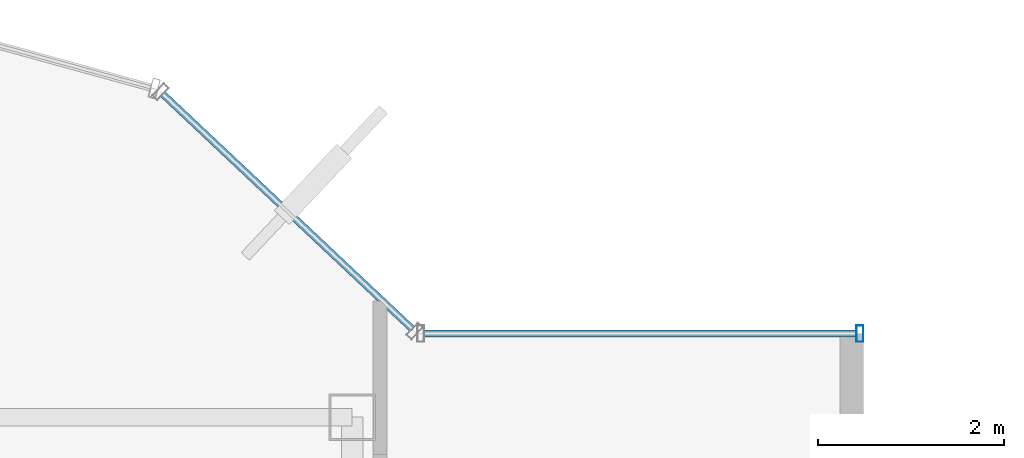
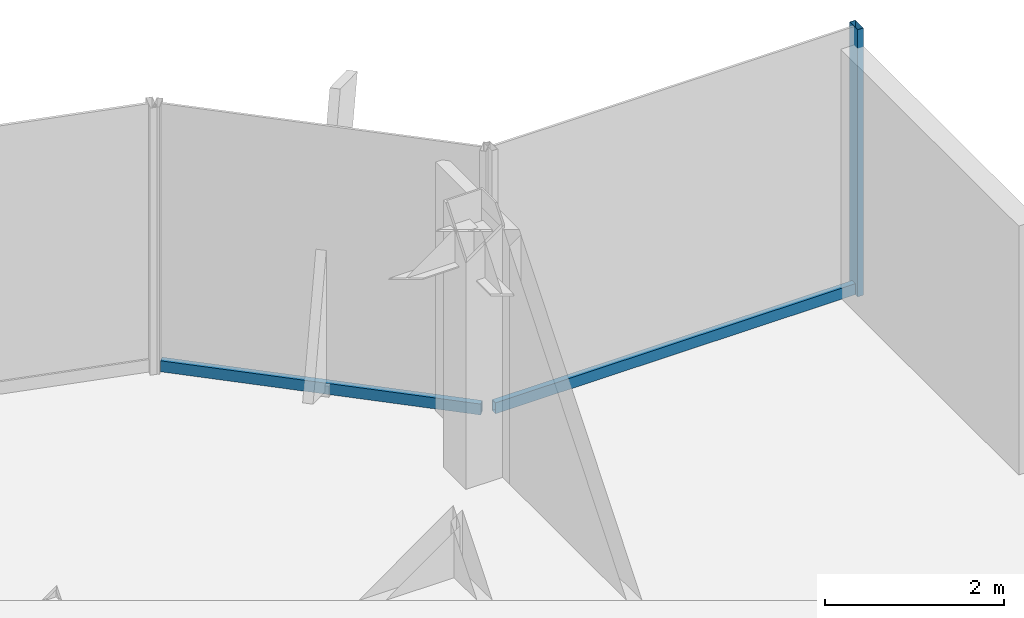
# One storey, part 15 of 22: 3 members, 2 elements without a shape of their own.
"""IFC4 building model written with IfcOpenShell, lengths in metres."""

from ifc_helpers import new_model, si_unit, derived_unit, direction, frame, origin, origin_2d, place, context, subcontext, project, spatial, hollow_rectangle, extrude, source, transform, mapped, material, material_profile, profile_set, type_object, element, aggregate, save


model = new_model("IFC4")

# Units and contexts
model_context = context("Model", 3, precision=1e-05, world=origin(), true_north=direction((0.0, 1.0)))
body_context = subcontext(model_context, "Body", "Model", "MODEL_VIEW")
ifc_project = project(units=[si_unit("LENGTHUNIT", "METRE"), si_unit("AREAUNIT", "SQUARE_METRE"), si_unit("VOLUMEUNIT", "CUBIC_METRE"), si_unit("PLANEANGLEUNIT", "RADIAN"), si_unit("MASSUNIT", "GRAM", prefix="KILO"), derived_unit("THERMALTRANSMITTANCEUNIT", [(si_unit("POWERUNIT", "WATT"), 1), (si_unit("LENGTHUNIT", "METRE"), -2), (si_unit("THERMODYNAMICTEMPERATUREUNIT", "KELVIN"), -1)])], contexts=[model_context])

# Site, building, storey
site_placement = place(None, origin())
site = spatial("IfcSite", under=ifc_project, at=site_placement, CompositionType="ELEMENT")
building_placement = place(site_placement, origin())
building = spatial("IfcBuilding", under=site, at=building_placement, Name="Skarnbrae Concourse Arena and Tower", CompositionType="ELEMENT")
storey_placement = place(building_placement, frame((0.0, 0.0, 262.449951171875)))
storey = spatial("IfcBuildingStorey", under=building, at=storey_placement, Name="L68", CompositionType="ELEMENT", Elevation=262.449951171875)

# Curtain wall, member
ifc_material = material(Name="Bronze anodised aluminium 6063-T6", Category="aluminium")
curtain_wall_type = type_object("IfcCurtainWallType", Name="CW-SYS-05-HIGHZONE", PredefinedType="USERDEFINED", material=ifc_material)
curtain_wall_1_placement = place(storey_placement, origin())
curtain_wall_1 = element("IfcCurtainWall", 1, at=curtain_wall_1_placement, inside=storey, type_object=curtain_wall_type, Name="L68 Unitised curtain wall CW-L68-E07", ObjectType="UNITISED CURTAIN WALL", PredefinedType="USERDEFINED")
ifc_material_profile_1 = material_profile(ifc_material, hollow_rectangle(XDim=0.074951171875, YDim=0.14990234375, WallThickness=0.00390625, at=origin_2d()), Name="ALU-TRAN-75X150")
ifc_profile_set_1 = profile_set([ifc_material_profile_1], Name="Bronze anodised aluminium 6063-T6")
member_type_1 = type_object("IfcMemberType", Name="CWT-CW-05", PredefinedType="USERDEFINED", material=ifc_profile_set_1)
shared_shape_1 = source(origin(), body_context, "Body", "SweptSolid", [
    extrude(hollow_rectangle(XDim=0.074951171875, YDim=0.14990234375, WallThickness=0.00390625, at=origin_2d()), origin(), (0.0, 0.0, 1.0), 4.650146484375),
])
member_1_placement = place(storey_placement, frame((38.925048828125, 35.300048828125, 0.074951171875), z_axis=(-1.0, 0.0, 0.0), x_axis=(0.0, -1.0, 0.0)))
member_1 = element("IfcMember", 2, at=member_1_placement, type_object=member_type_1, Name="CW-L68-E07 Transom 1", ObjectType="TRANSOM", PredefinedType="USERDEFINED", context=body_context, shape_type="MappedRepresentation", body=[
    mapped(shared_shape_1, transform((0.0, 0.0, 0.0))),
])

curtain_wall_2_placement = place(storey_placement, origin())
curtain_wall_2 = element("IfcCurtainWall", 3, at=curtain_wall_2_placement, inside=storey, type_object=curtain_wall_type, Name="L68 Unitised curtain wall CW-L68-E08", ObjectType="UNITISED CURTAIN WALL", PredefinedType="USERDEFINED")
shared_shape_2 = source(origin(), body_context, "Body", "SweptSolid", [
    extrude(hollow_rectangle(XDim=0.074951171875, YDim=0.14990234375, WallThickness=0.00390625, at=origin_2d()), origin(), (0.0, 0.0, 1.0), 3.68212890625),
])
member_2_placement = place(storey_placement, frame((34.1455078125, 35.351318359375, 0.074951171875), z_axis=(-0.728133808476, 0.685435012933, 0.0), x_axis=(-0.685435012933, -0.728133808476, 0.0)))
member_2 = element("IfcMember", 4, at=member_2_placement, type_object=member_type_1, Name="CW-L68-E08 Transom 1", ObjectType="TRANSOM", PredefinedType="USERDEFINED", context=body_context, shape_type="MappedRepresentation", body=[
    mapped(shared_shape_2, transform((0.0, 0.0, 0.0))),
])
aggregate(curtain_wall_2, [member_2])

# Member
ifc_material_profile_2 = material_profile(ifc_material, hollow_rectangle(XDim=0.074951171875, YDim=0.179931640625, WallThickness=0.00390625, at=origin_2d()), Name="ALU-MULL-75X180")
ifc_profile_set_2 = profile_set([ifc_material_profile_2], Name="Bronze anodised aluminium 6063-T6")
member_type_2 = type_object("IfcMemberType", Name="CWM-CW-05", PredefinedType="MULLION", material=ifc_profile_set_2)
shared_shape_3 = source(origin(), body_context, "Body", "SweptSolid", [
    extrude(hollow_rectangle(XDim=0.074951171875, YDim=0.179931640625, WallThickness=0.00390625, at=origin_2d()), origin(), (0.0, 0.0, 1.0), 3.650146484375),
])
member_3_placement = place(storey_placement, frame((38.96240234375, 35.300048828125, 0.0), z_axis=(0.0, 0.0, 1.0), x_axis=(-1.0, 0.0, 0.0)))
member_3 = element("IfcMember", 5, at=member_3_placement, type_object=member_type_2, Name="CW-L68-E07 Mullion 1", PredefinedType="MULLION", context=body_context, shape_type="MappedRepresentation", body=[
    mapped(shared_shape_3, transform((0.0, 0.0, 0.0))),
])

aggregate(curtain_wall_1, [member_3, member_1])

save(model, "model.ifc")
